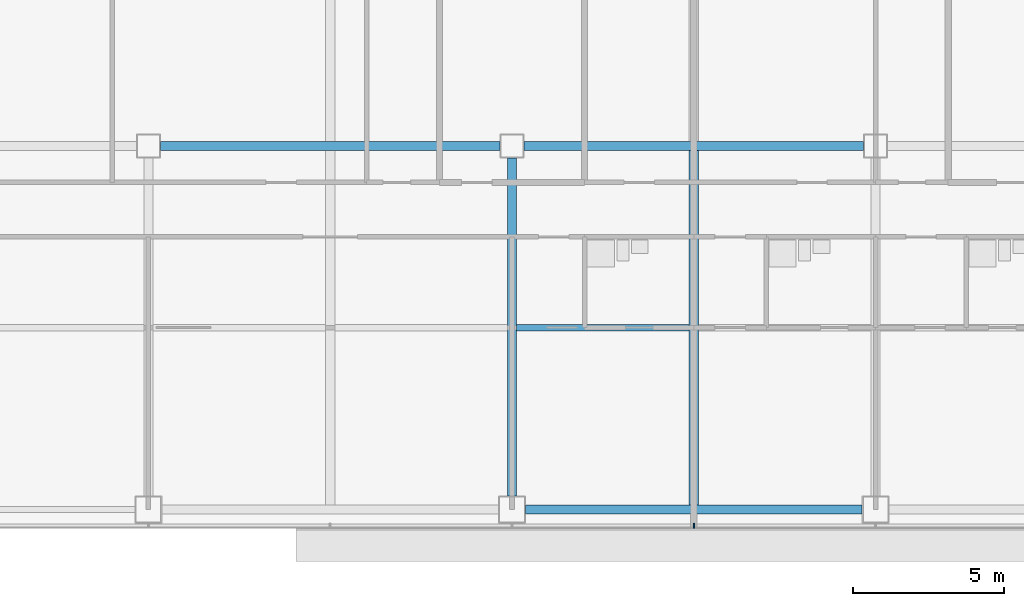
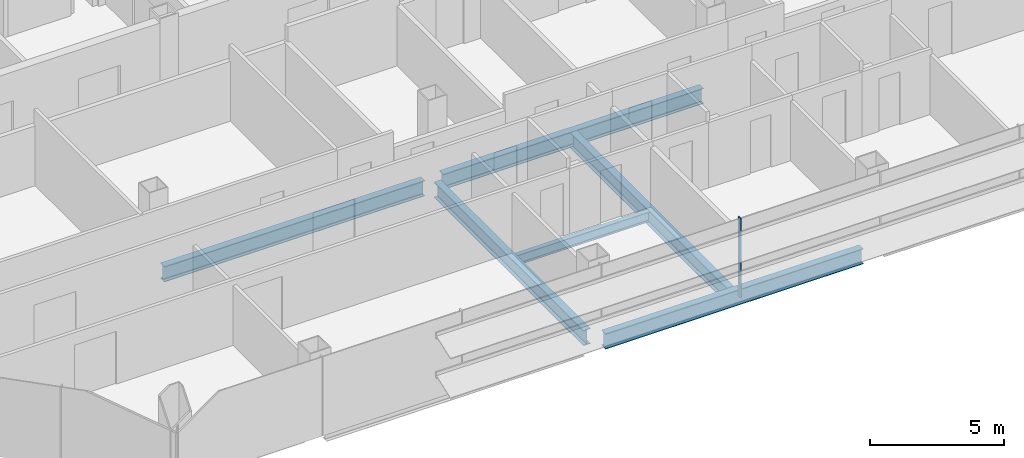
# One storey, part 3 of 26: 6 beams, 1 member, 1 element without a shape of its own.
"""IFC4 building model written with IfcOpenShell, lengths in metres."""

from ifc_helpers import new_model, si_unit, direction, frame, origin, origin_2d, place, context, subcontext, project, spatial, rectangle, i_section, extrude, material, material_profile, profile_set, type_object, element, aggregate, save


model = new_model("IFC4")

# Units and contexts
model_context = context("Model", 3, precision=1e-05, world=origin(), true_north=direction((0.0, 1.0)))
body_context = subcontext(model_context, "Body", "Model", "MODEL_VIEW")
ifc_project = project(units=[si_unit("LENGTHUNIT", "METRE"), si_unit("AREAUNIT", "SQUARE_METRE"), si_unit("VOLUMEUNIT", "CUBIC_METRE"), si_unit("PLANEANGLEUNIT", "RADIAN"), si_unit("MASSUNIT", "GRAM", prefix="KILO")], contexts=[model_context])

# Site, building, storey
site_placement = place(None, origin())
site = spatial("IfcSite", under=ifc_project, at=site_placement, CompositionType="ELEMENT")
building_placement = place(site_placement, origin())
building = spatial("IfcBuilding", under=site, at=building_placement, Name="Sorahane Residences", CompositionType="ELEMENT")
storey_placement = place(building_placement, frame((0.0, 0.0, 64.199951171875)))
storey = spatial("IfcBuildingStorey", under=building, at=storey_placement, Name="L12", CompositionType="ELEMENT", Elevation=64.199951171875)

# Curtain wall, member
ifc_material_1 = material(Name="Dark low-e glass and black anodised aluminium", Category="aluminium")
curtain_wall_type = type_object("IfcCurtainWallType", Name="Curtain wall CW-1 Typical unitised wall", PredefinedType="NOTDEFINED", material=ifc_material_1)
curtain_wall_placement = place(storey_placement, origin())
curtain_wall = element("IfcCurtainWall", 1, at=curtain_wall_placement, inside=storey, type_object=curtain_wall_type, Name="CW-1 curtain wall L12 S1", PredefinedType="NOTDEFINED")
ifc_material_2 = material(Name="Black anodised aluminium", Category="aluminium")
ifc_material_profile_1 = material_profile(ifc_material_2, rectangle(XDim=0.159912109375, YDim=0.050048828125, at=origin_2d()), Name="Curtain wall mullion CW-1 black anodised aluminium 50x160")
ifc_profile_set_1 = profile_set([ifc_material_profile_1], Name="Black anodised aluminium")
member_type = type_object("IfcMemberType", Name="Curtain wall mullion CW-1 black anodised aluminium 50x160", PredefinedType="MULLION", material=ifc_profile_set_1)
member_placement = place(storey_placement, frame((30.0, -0.5400390625, -0.179931640625), z_axis=(0.0, 0.0, 1.0), x_axis=(0.0, -1.0, 0.0)))
member = element("IfcMember", 2, at=member_placement, type_object=member_type, Name="CW-1 mullion L12 S1.5", PredefinedType="MULLION", context=body_context, shape_type="SweptSolid", body=[
    extrude(rectangle(XDim=0.159912109375, YDim=0.050048828125, at=origin_2d()), origin(), (0.0, 0.0, 1.0), 3.60009765625),
])
aggregate(curtain_wall, [member])

# Beams
ifc_material_3 = material(Name="Steel Q355B", Category="steel")
ifc_material_profile_2 = material_profile(ifc_material_3, i_section(OverallWidth=0.199951171875, OverallDepth=0.449951171875, WebThickness=0.009033203125, FlangeThickness=0.013916015625, FilletRadius=0.02001953125, at=origin_2d()), Name="HN 450x200x9x14")
ifc_profile_set_2 = profile_set([ifc_material_profile_2], Name="Steel Q355B")
beam_type_1 = type_object("IfcBeamType", Name="Steel floor beam HN 450x200x9x14 Q355B", PredefinedType="BEAM", material=ifc_profile_set_2)
beam_1_placement = place(storey_placement, frame((24.14990234375, 6.0, -0.405029296875), z_axis=(1.0, 0.0, 0.0), x_axis=(0.0, 1.0, 0.0)))
element("IfcBeam", 3, at=beam_1_placement, inside=storey, type_object=beam_type_1, Name="Beam L12 065", PredefinedType="BEAM", context=body_context, shape_type="SweptSolid", body=[
    extrude(i_section(OverallWidth=0.199951171875, OverallDepth=0.449951171875, WebThickness=0.009033203125, FlangeThickness=0.013916015625, FilletRadius=0.02001953125, at=origin_2d()), origin(), (0.0, 0.0, 1.0), 5.7001953125),
])
ifc_material_4 = material(Name="Steel Q355B", Category="steel")
ifc_material_profile_3 = material_profile(ifc_material_4, i_section(OverallWidth=0.300048828125, OverallDepth=0.699951171875, WebThickness=0.012939453125, FlangeThickness=0.02392578125, FilletRadius=0.028076171875, at=origin_2d()), Name="HN 700x300x13x24")
ifc_profile_set_3 = profile_set([ifc_material_profile_3], Name="Steel Q355B")
beam_type_2 = type_object("IfcBeamType", Name="Steel floor beam HN 700x300x13x24 Q355B", PredefinedType="BEAM", material=ifc_profile_set_3)
beam_2_placement = place(storey_placement, frame((24.449951171875, 0.0, -0.530029296875), z_axis=(1.0, 0.0, 0.0), x_axis=(0.0, 1.0, 0.0)))
element("IfcBeam", 4, at=beam_2_placement, inside=storey, type_object=beam_type_2, Name="Beam L12 002", PredefinedType="BEAM", context=body_context, shape_type="SweptSolid", body=[
    extrude(i_section(OverallWidth=0.300048828125, OverallDepth=0.699951171875, WebThickness=0.012939453125, FlangeThickness=0.02392578125, FilletRadius=0.028076171875, at=origin_2d()), origin(), (0.0, 0.0, 1.0), 11.10009765625),
])
for number, where, z_axis, x_axis, name in (
    (5, (12.39990234375, 12.0, -0.530029296875), (1.0, 0.0, 0.0), (0.0, 1.0, 0.0), "Beam L12 006"),
    (6, (24.39990234375, 12.0, -0.530029296875), (1.0, 0.0, 0.0), (0.0, 1.0, 0.0), "Beam L12 007"),
):
    element("IfcBeam", number, at=place(storey_placement, frame(where, z_axis=z_axis, x_axis=x_axis)), inside=storey, type_object=beam_type_2, Name=name, PredefinedType="BEAM", context=body_context, shape_type="SweptSolid", body=[
        extrude(i_section(OverallWidth=0.300048828125, OverallDepth=0.699951171875, WebThickness=0.012939453125, FlangeThickness=0.02392578125, FilletRadius=0.028076171875, at=origin_2d()), origin(), (0.0, 0.0, 1.0), 11.2001953125),
    ])
beam_3_placement = place(storey_placement, frame((24.0, 0.449951171875, -0.530029296875), z_axis=(0.0, 1.0, 0.0), x_axis=(-1.0, 0.0, 0.0)))
element("IfcBeam", 7, at=beam_3_placement, inside=storey, type_object=beam_type_2, Name="Beam L12 035", PredefinedType="BEAM", context=body_context, shape_type="SweptSolid", body=[
    extrude(i_section(OverallWidth=0.300048828125, OverallDepth=0.699951171875, WebThickness=0.012939453125, FlangeThickness=0.02392578125, FilletRadius=0.028076171875, at=origin_2d()), origin(), (0.0, 0.0, 1.0), 11.150146484375),
])
beam_4_placement = place(storey_placement, frame((30.0, 0.14990234375, -0.530029296875), z_axis=(0.0, 1.0, 0.0), x_axis=(-1.0, 0.0, 0.0)))
element("IfcBeam", 8, at=beam_4_placement, inside=storey, type_object=beam_type_2, Name="Beam L12 037", PredefinedType="BEAM", context=body_context, shape_type="SweptSolid", body=[
    extrude(i_section(OverallWidth=0.300048828125, OverallDepth=0.699951171875, WebThickness=0.012939453125, FlangeThickness=0.02392578125, FilletRadius=0.028076171875, at=origin_2d()), origin(), (0.0, 0.0, 1.0), 11.7001953125),
])

save(model, "model.ifc")
